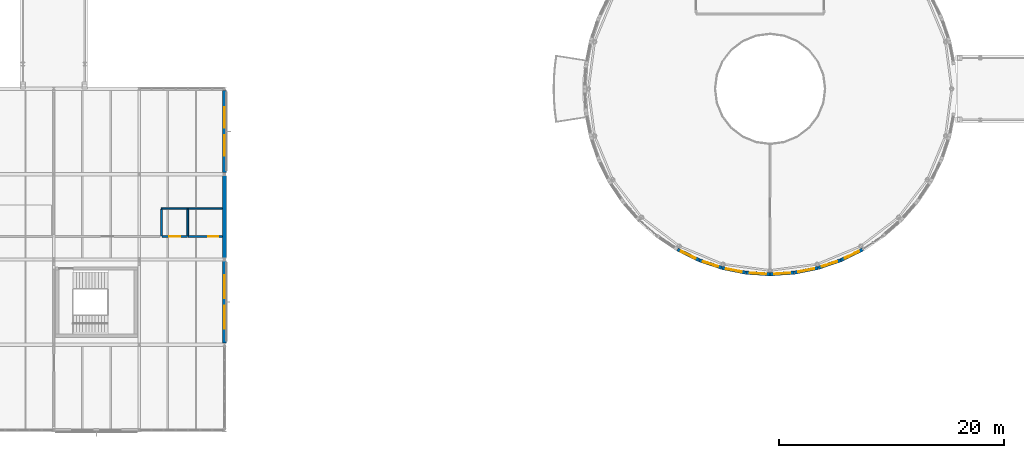
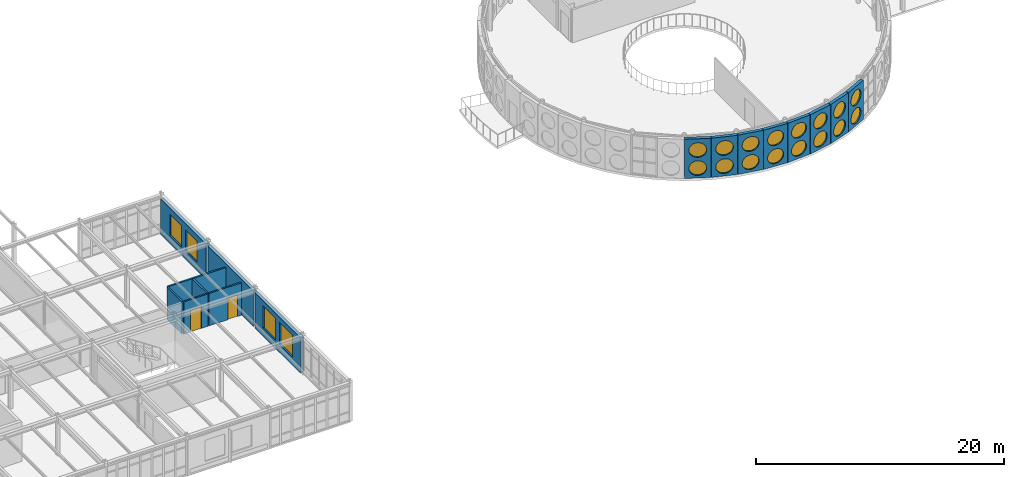
# One storey, part 133 of 165: 20 windows, 16 walls, 2 doors, 22 openings.
"""IFC4 building model written with IfcOpenShell, lengths in metres."""

from ifc_helpers import new_model, si_unit, direction, frame, frame_2d, origin, place, context, subcontext, project, spatial, rectangle, circle, extrude, material, layer, layer_set, type_object, element, fill, save


model = new_model("IFC4")

# Units and contexts
model_context = context("Model", 3, precision=1e-05, world=origin(), true_north=direction((0.0, 1.0)))
body_context = subcontext(model_context, "Body", "Model", "MODEL_VIEW")
ifc_project = project(units=[si_unit("LENGTHUNIT", "METRE"), si_unit("AREAUNIT", "SQUARE_METRE"), si_unit("VOLUMEUNIT", "CUBIC_METRE"), si_unit("PLANEANGLEUNIT", "RADIAN"), si_unit("MASSUNIT", "GRAM", prefix="KILO")], contexts=[model_context])

# Site, building, storey
site_placement = place(None, origin())
site = spatial("IfcSite", under=ifc_project, at=site_placement, CompositionType="ELEMENT")
building_placement = place(site_placement, origin())
building = spatial("IfcBuilding", under=site, at=building_placement, Name="Montecoro Central Library", CompositionType="ELEMENT")
storey_placement = place(building_placement, frame((0.0, 0.0, 5.10009765625)))
storey = spatial("IfcBuildingStorey", under=building, at=storey_placement, Name="L01", CompositionType="ELEMENT", Elevation=5.10009765625)

# Wall, openings, windows
ifc_material_1 = material(Name="Travertine Roman Stone and concrete C35/45", Category="masonry")
ifc_layer_1 = layer(ifc_material_1, 0.294921875)
ifc_layer_set_1 = layer_set([ifc_layer_1], Name="Travertine Roman Stone and concrete C35/45")
wall_type_1 = type_object("IfcWallType", Name="EW-DRM-295", PredefinedType="SOLIDWALL", material=ifc_layer_set_1)
wall_1_placement = place(storey_placement, frame((83.346923828125, 21.089111328125, 0.0), z_axis=(0.0, 0.0, 1.0), x_axis=(0.897210232885, -0.441603666205, 0.0)))
wall_1 = element("IfcWall", 1, at=wall_1_placement, inside=storey, type_object=wall_type_1, Name="V1-L01-EW-33", PredefinedType="SOLIDWALL", context=body_context, shape_type="SweptSolid", body=[
    extrude(rectangle(XDim=2.14453125, YDim=0.294921875, at=frame_2d((1.072265625, 0.0))), origin(), (0.0, 0.0, 1.0), 3.85498046875),
])
opening_1_placement = place(wall_1_placement, frame((0.35205078125, 0.0, 0.25)))
opening_1 = element("IfcOpeningElement", 2, at=opening_1_placement, cuts=wall_1, Name="Opening WP-01", PredefinedType="OPENING", context=body_context, shape_type="SweptSolid", body=[
    extrude(circle(Radius=0.719970703125, at=frame_2d((0.719970703125, 0.719970703125))), frame((0.0, 0.157470703125, 0.0), z_axis=(0.0, -1.0, 0.0), x_axis=(1.0, 0.0, 0.0)), (0.0, 0.0, 1.0), 0.31494140625),
])
opening_2_placement = place(wall_1_placement, frame((0.35205078125, 0.0, 2.030029296875)))
opening_2 = element("IfcOpeningElement", 3, at=opening_2_placement, cuts=wall_1, Name="Opening WP-02", PredefinedType="OPENING", context=body_context, shape_type="SweptSolid", body=[
    extrude(circle(Radius=0.719970703125, at=frame_2d((0.719970703125, 0.719970703125))), frame((0.0, 0.157470703125, 0.0), z_axis=(0.0, -1.0, 0.0), x_axis=(1.0, 0.0, 0.0)), (0.0, 0.0, 1.0), 0.31494140625),
])
ifc_material_2 = material(Name="Clear sky-blue low-E laminated glazing", Category="glass")
window_type_1 = type_object("IfcWindowType", Name="WN-POR-CLR-144", PartitioningType="SINGLE_PANEL", PredefinedType="WINDOW", material=ifc_material_2)
window_1_placement = place(opening_1_placement, origin())
window_1 = element("IfcWindow", 4, at=window_1_placement, inside=storey, type_object=window_type_1, Name="V1-L01-WP-33-1", OverallHeight=1.43994140625, OverallWidth=1.43994140625, PartitioningType="SINGLE_PANEL", PredefinedType="WINDOW", context=body_context, shape_type="SweptSolid", body=[
    extrude(circle(Radius=0.719970703125, at=frame_2d((0.719970703125, 0.719970703125))), frame((0.0, 0.030029296875, 0.0), z_axis=(0.0, -1.0, 0.0), x_axis=(1.0, 0.0, 0.0)), (0.0, 0.0, 1.0), 0.06005859375),
])
fill(opening_1, window_1)
ifc_material_3 = material(Name="Frosted pearl-white ceramic-fritted glazing", Category="glass")
window_type_2 = type_object("IfcWindowType", Name="WN-POR-FRT-144", PartitioningType="SINGLE_PANEL", PredefinedType="WINDOW", material=ifc_material_3)
window_2_placement = place(opening_2_placement, origin())
window_2 = element("IfcWindow", 5, at=window_2_placement, inside=storey, type_object=window_type_2, Name="V1-L01-WP-33-2", OverallHeight=1.43994140625, OverallWidth=1.43994140625, PartitioningType="SINGLE_PANEL", PredefinedType="WINDOW", context=body_context, shape_type="SweptSolid", body=[
    extrude(circle(Radius=0.719970703125, at=frame_2d((0.719970703125, 0.719970703125))), frame((0.0, 0.030029296875, 0.0), z_axis=(0.0, -1.0, 0.0), x_axis=(1.0, 0.0, 0.0)), (0.0, 0.0, 1.0), 0.06005859375),
])
fill(opening_2, window_2)

wall_2_placement = place(storey_placement, frame((85.285888671875, 20.135009765625, 0.0), z_axis=(0.0, 0.0, 1.0), x_axis=(0.946949614692, -0.321382058047, 0.0)))
wall_2 = element("IfcWall", 6, at=wall_2_placement, inside=storey, type_object=wall_type_1, Name="V1-L01-EW-34", PredefinedType="SOLIDWALL", context=body_context, shape_type="SweptSolid", body=[
    extrude(rectangle(XDim=2.143798828125, YDim=0.294921875, at=frame_2d((1.07177734375, 0.0))), origin(), (0.0, 0.0, 1.0), 3.85498046875),
])
opening_3_placement = place(wall_2_placement, frame((0.35205078125, 0.0, 0.25)))
opening_3 = element("IfcOpeningElement", 7, at=opening_3_placement, cuts=wall_2, Name="Opening WP-02", PredefinedType="OPENING", context=body_context, shape_type="SweptSolid", body=[
    extrude(circle(Radius=0.719970703125, at=frame_2d((0.719970703125, 0.719970703125))), frame((0.0, 0.157470703125, 0.0), z_axis=(0.0, -1.0, 0.0), x_axis=(1.0, 0.0, 0.0)), (0.0, 0.0, 1.0), 0.31494140625),
])
opening_4_placement = place(wall_2_placement, frame((0.35205078125, 0.0, 2.030029296875)))
opening_4 = element("IfcOpeningElement", 8, at=opening_4_placement, cuts=wall_2, Name="Opening WP-01", PredefinedType="OPENING", context=body_context, shape_type="SweptSolid", body=[
    extrude(circle(Radius=0.719970703125, at=frame_2d((0.719970703125, 0.719970703125))), frame((0.0, 0.157470703125, 0.0), z_axis=(0.0, -1.0, 0.0), x_axis=(1.0, 0.0, 0.0)), (0.0, 0.0, 1.0), 0.31494140625),
])
window_3_placement = place(opening_4_placement, origin())
window_3 = element("IfcWindow", 9, at=window_3_placement, inside=storey, type_object=window_type_1, Name="V1-L01-WP-34-2", OverallHeight=1.43994140625, OverallWidth=1.43994140625, PartitioningType="SINGLE_PANEL", PredefinedType="WINDOW", context=body_context, shape_type="SweptSolid", body=[
    extrude(circle(Radius=0.719970703125, at=frame_2d((0.719970703125, 0.719970703125))), frame((0.0, 0.030029296875, 0.0), z_axis=(0.0, -1.0, 0.0), x_axis=(1.0, 0.0, 0.0)), (0.0, 0.0, 1.0), 0.06005859375),
])
fill(opening_4, window_3)
window_4_placement = place(opening_3_placement, origin())
window_4 = element("IfcWindow", 10, at=window_4_placement, inside=storey, type_object=window_type_2, Name="V1-L01-WP-34-1", OverallHeight=1.43994140625, OverallWidth=1.43994140625, PartitioningType="SINGLE_PANEL", PredefinedType="WINDOW", context=body_context, shape_type="SweptSolid", body=[
    extrude(circle(Radius=0.719970703125, at=frame_2d((0.719970703125, 0.719970703125))), frame((0.0, 0.030029296875, 0.0), z_axis=(0.0, -1.0, 0.0), x_axis=(1.0, 0.0, 0.0)), (0.0, 0.0, 1.0), 0.06005859375),
])
fill(opening_3, window_4)

wall_3_placement = place(storey_placement, frame((87.33203125, 19.44091796875, 0.0), z_axis=(0.0, 0.0, 1.0), x_axis=(0.980833742796, -0.194846526766, 0.0)))
wall_3 = element("IfcWall", 11, at=wall_3_placement, inside=storey, type_object=wall_type_1, Name="V1-L01-EW-35", PredefinedType="SOLIDWALL", context=body_context, shape_type="SweptSolid", body=[
    extrude(rectangle(XDim=2.14501953125, YDim=0.294921875, at=frame_2d((1.072509765625, 0.0))), origin(), (0.0, 0.0, 1.0), 3.85498046875),
])
opening_5_placement = place(wall_3_placement, frame((0.35302734375, 0.0, 0.25)))
opening_5 = element("IfcOpeningElement", 12, at=opening_5_placement, cuts=wall_3, Name="Opening WP-01", PredefinedType="OPENING", context=body_context, shape_type="SweptSolid", body=[
    extrude(circle(Radius=0.719970703125, at=frame_2d((0.719970703125, 0.719970703125))), frame((0.0, 0.157470703125, 0.0), z_axis=(0.0, -1.0, 0.0), x_axis=(1.0, 0.0, 0.0)), (0.0, 0.0, 1.0), 0.31494140625),
])
opening_6_placement = place(wall_3_placement, frame((0.35302734375, 0.0, 2.030029296875)))
opening_6 = element("IfcOpeningElement", 13, at=opening_6_placement, cuts=wall_3, Name="Opening WP-02", PredefinedType="OPENING", context=body_context, shape_type="SweptSolid", body=[
    extrude(circle(Radius=0.719970703125, at=frame_2d((0.719970703125, 0.719970703125))), frame((0.0, 0.157470703125, 0.0), z_axis=(0.0, -1.0, 0.0), x_axis=(1.0, 0.0, 0.0)), (0.0, 0.0, 1.0), 0.31494140625),
])
window_5_placement = place(opening_5_placement, origin())
window_5 = element("IfcWindow", 14, at=window_5_placement, inside=storey, type_object=window_type_1, Name="V1-L01-WP-35-1", OverallHeight=1.43994140625, OverallWidth=1.43994140625, PartitioningType="SINGLE_PANEL", PredefinedType="WINDOW", context=body_context, shape_type="SweptSolid", body=[
    extrude(circle(Radius=0.719970703125, at=frame_2d((0.719970703125, 0.719970703125))), frame((0.0, 0.030029296875, 0.0), z_axis=(0.0, -1.0, 0.0), x_axis=(1.0, 0.0, 0.0)), (0.0, 0.0, 1.0), 0.06005859375),
])
fill(opening_5, window_5)
window_6_placement = place(opening_6_placement, origin())
window_6 = element("IfcWindow", 15, at=window_6_placement, inside=storey, type_object=window_type_2, Name="V1-L01-WP-35-2", OverallHeight=1.43994140625, OverallWidth=1.43994140625, PartitioningType="SINGLE_PANEL", PredefinedType="WINDOW", context=body_context, shape_type="SweptSolid", body=[
    extrude(circle(Radius=0.719970703125, at=frame_2d((0.719970703125, 0.719970703125))), frame((0.0, 0.030029296875, 0.0), z_axis=(0.0, -1.0, 0.0), x_axis=(1.0, 0.0, 0.0)), (0.0, 0.0, 1.0), 0.06005859375),
])
fill(opening_6, window_6)

wall_4_placement = place(storey_placement, frame((89.451904296875, 19.02001953125, 0.0), z_axis=(0.0, 0.0, 1.0), x_axis=(0.997899987449, -0.064773567518, 0.0)))
wall_4 = element("IfcWall", 16, at=wall_4_placement, inside=storey, type_object=wall_type_1, Name="V1-L01-EW-36", PredefinedType="SOLIDWALL", context=body_context, shape_type="SweptSolid", body=[
    extrude(rectangle(XDim=2.14453125, YDim=0.294921875, at=frame_2d((1.072265625, 0.0))), origin(), (0.0, 0.0, 1.0), 3.85498046875),
])
opening_7_placement = place(wall_4_placement, frame((0.35205078125, 0.0, 0.25)))
opening_7 = element("IfcOpeningElement", 17, at=opening_7_placement, cuts=wall_4, Name="Opening WP-02", PredefinedType="OPENING", context=body_context, shape_type="SweptSolid", body=[
    extrude(circle(Radius=0.719970703125, at=frame_2d((0.719970703125, 0.719970703125))), frame((0.0, 0.157470703125, 0.0), z_axis=(0.0, -1.0, 0.0), x_axis=(1.0, 0.0, 0.0)), (0.0, 0.0, 1.0), 0.31494140625),
])
opening_8_placement = place(wall_4_placement, frame((0.35205078125, 0.0, 2.030029296875)))
opening_8 = element("IfcOpeningElement", 18, at=opening_8_placement, cuts=wall_4, Name="Opening WP-01", PredefinedType="OPENING", context=body_context, shape_type="SweptSolid", body=[
    extrude(circle(Radius=0.719970703125, at=frame_2d((0.719970703125, 0.719970703125))), frame((0.0, 0.157470703125, 0.0), z_axis=(0.0, -1.0, 0.0), x_axis=(1.0, 0.0, 0.0)), (0.0, 0.0, 1.0), 0.31494140625),
])
window_7_placement = place(opening_8_placement, origin())
window_7 = element("IfcWindow", 19, at=window_7_placement, inside=storey, type_object=window_type_1, Name="V1-L01-WP-36-2", OverallHeight=1.43994140625, OverallWidth=1.43994140625, PartitioningType="SINGLE_PANEL", PredefinedType="WINDOW", context=body_context, shape_type="SweptSolid", body=[
    extrude(circle(Radius=0.719970703125, at=frame_2d((0.719970703125, 0.719970703125))), frame((0.0, 0.030029296875, 0.0), z_axis=(0.0, -1.0, 0.0), x_axis=(1.0, 0.0, 0.0)), (0.0, 0.0, 1.0), 0.06005859375),
])
fill(opening_8, window_7)
window_8_placement = place(opening_7_placement, origin())
window_8 = element("IfcWindow", 20, at=window_8_placement, inside=storey, type_object=window_type_2, Name="V1-L01-WP-36-1", OverallHeight=1.43994140625, OverallWidth=1.43994140625, PartitioningType="SINGLE_PANEL", PredefinedType="WINDOW", context=body_context, shape_type="SweptSolid", body=[
    extrude(circle(Radius=0.719970703125, at=frame_2d((0.719970703125, 0.719970703125))), frame((0.0, 0.030029296875, 0.0), z_axis=(0.0, -1.0, 0.0), x_axis=(1.0, 0.0, 0.0)), (0.0, 0.0, 1.0), 0.06005859375),
])
fill(opening_7, window_8)

wall_5_placement = place(storey_placement, frame((91.60791015625, 18.881103515625, 0.0), z_axis=(0.0, 0.0, 1.0), x_axis=(0.997899987449, 0.064773567518, 0.0)))
wall_5 = element("IfcWall", 21, at=wall_5_placement, inside=storey, type_object=wall_type_1, Name="V1-L01-EW-37", PredefinedType="SOLIDWALL", context=body_context, shape_type="SweptSolid", body=[
    extrude(rectangle(XDim=2.14453125, YDim=0.294921875, at=frame_2d((1.072265625, 0.0))), origin(), (0.0, 0.0, 1.0), 3.85498046875),
])
opening_9_placement = place(wall_5_placement, frame((0.35205078125, 0.0, 0.25)))
opening_9 = element("IfcOpeningElement", 22, at=opening_9_placement, cuts=wall_5, Name="Opening WP-01", PredefinedType="OPENING", context=body_context, shape_type="SweptSolid", body=[
    extrude(circle(Radius=0.719970703125, at=frame_2d((0.719970703125, 0.719970703125))), frame((0.0, 0.157470703125, 0.0), z_axis=(0.0, -1.0, 0.0), x_axis=(1.0, 0.0, 0.0)), (0.0, 0.0, 1.0), 0.31494140625),
])
opening_10_placement = place(wall_5_placement, frame((0.35205078125, 0.0, 2.030029296875)))
opening_10 = element("IfcOpeningElement", 23, at=opening_10_placement, cuts=wall_5, Name="Opening WP-02", PredefinedType="OPENING", context=body_context, shape_type="SweptSolid", body=[
    extrude(circle(Radius=0.719970703125, at=frame_2d((0.719970703125, 0.719970703125))), frame((0.0, 0.157470703125, 0.0), z_axis=(0.0, -1.0, 0.0), x_axis=(1.0, 0.0, 0.0)), (0.0, 0.0, 1.0), 0.31494140625),
])
window_9_placement = place(opening_9_placement, origin())
window_9 = element("IfcWindow", 24, at=window_9_placement, inside=storey, type_object=window_type_1, Name="V1-L01-WP-37-1", OverallHeight=1.43994140625, OverallWidth=1.43994140625, PartitioningType="SINGLE_PANEL", PredefinedType="WINDOW", context=body_context, shape_type="SweptSolid", body=[
    extrude(circle(Radius=0.719970703125, at=frame_2d((0.719970703125, 0.719970703125))), frame((0.0, 0.030029296875, 0.0), z_axis=(0.0, -1.0, 0.0), x_axis=(1.0, 0.0, 0.0)), (0.0, 0.0, 1.0), 0.06005859375),
])
fill(opening_9, window_9)
window_10_placement = place(opening_10_placement, origin())
window_10 = element("IfcWindow", 25, at=window_10_placement, inside=storey, type_object=window_type_2, Name="V1-L01-WP-37-2", OverallHeight=1.43994140625, OverallWidth=1.43994140625, PartitioningType="SINGLE_PANEL", PredefinedType="WINDOW", context=body_context, shape_type="SweptSolid", body=[
    extrude(circle(Radius=0.719970703125, at=frame_2d((0.719970703125, 0.719970703125))), frame((0.0, 0.030029296875, 0.0), z_axis=(0.0, -1.0, 0.0), x_axis=(1.0, 0.0, 0.0)), (0.0, 0.0, 1.0), 0.06005859375),
])
fill(opening_10, window_10)

wall_6_placement = place(storey_placement, frame((93.763916015625, 19.02294921875, 0.0), z_axis=(0.0, 0.0, 1.0), x_axis=(0.980833742796, 0.194846526766, 0.0)))
wall_6 = element("IfcWall", 26, at=wall_6_placement, inside=storey, type_object=wall_type_1, Name="V1-L01-EW-38", PredefinedType="SOLIDWALL", context=body_context, shape_type="SweptSolid", body=[
    extrude(rectangle(XDim=2.14501953125, YDim=0.294921875, at=frame_2d((1.072509765625, 0.0))), origin(), (0.0, 0.0, 1.0), 3.85498046875),
])
opening_11_placement = place(wall_6_placement, frame((0.35302734375, 0.0, 0.25)))
opening_11 = element("IfcOpeningElement", 27, at=opening_11_placement, cuts=wall_6, Name="Opening WP-02", PredefinedType="OPENING", context=body_context, shape_type="SweptSolid", body=[
    extrude(circle(Radius=0.719970703125, at=frame_2d((0.719970703125, 0.719970703125))), frame((0.0, 0.157470703125, 0.0), z_axis=(0.0, -1.0, 0.0), x_axis=(1.0, 0.0, 0.0)), (0.0, 0.0, 1.0), 0.31494140625),
])
opening_12_placement = place(wall_6_placement, frame((0.35302734375, 0.0, 2.030029296875)))
opening_12 = element("IfcOpeningElement", 28, at=opening_12_placement, cuts=wall_6, Name="Opening WP-01", PredefinedType="OPENING", context=body_context, shape_type="SweptSolid", body=[
    extrude(circle(Radius=0.719970703125, at=frame_2d((0.719970703125, 0.719970703125))), frame((0.0, 0.157470703125, 0.0), z_axis=(0.0, -1.0, 0.0), x_axis=(1.0, 0.0, 0.0)), (0.0, 0.0, 1.0), 0.31494140625),
])
window_11_placement = place(opening_12_placement, origin())
window_11 = element("IfcWindow", 29, at=window_11_placement, inside=storey, type_object=window_type_1, Name="V1-L01-WP-38-2", OverallHeight=1.43994140625, OverallWidth=1.43994140625, PartitioningType="SINGLE_PANEL", PredefinedType="WINDOW", context=body_context, shape_type="SweptSolid", body=[
    extrude(circle(Radius=0.719970703125, at=frame_2d((0.719970703125, 0.719970703125))), frame((0.0, 0.030029296875, 0.0), z_axis=(0.0, -1.0, 0.0), x_axis=(1.0, 0.0, 0.0)), (0.0, 0.0, 1.0), 0.06005859375),
])
fill(opening_12, window_11)
window_12_placement = place(opening_11_placement, origin())
window_12 = element("IfcWindow", 30, at=window_12_placement, inside=storey, type_object=window_type_2, Name="V1-L01-WP-38-1", OverallHeight=1.43994140625, OverallWidth=1.43994140625, PartitioningType="SINGLE_PANEL", PredefinedType="WINDOW", context=body_context, shape_type="SweptSolid", body=[
    extrude(circle(Radius=0.719970703125, at=frame_2d((0.719970703125, 0.719970703125))), frame((0.0, 0.030029296875, 0.0), z_axis=(0.0, -1.0, 0.0), x_axis=(1.0, 0.0, 0.0)), (0.0, 0.0, 1.0), 0.06005859375),
])
fill(opening_11, window_12)

wall_7_placement = place(storey_placement, frame((95.884033203125, 19.446044921875, 0.0), z_axis=(0.0, 0.0, 1.0), x_axis=(0.946949614692, 0.321382058047, 0.0)))
wall_7 = element("IfcWall", 31, at=wall_7_placement, inside=storey, type_object=wall_type_1, Name="V1-L01-EW-39", PredefinedType="SOLIDWALL", context=body_context, shape_type="SweptSolid", body=[
    extrude(rectangle(XDim=2.143798828125, YDim=0.294921875, at=frame_2d((1.07177734375, 0.0))), origin(), (0.0, 0.0, 1.0), 3.85498046875),
])
opening_13_placement = place(wall_7_placement, frame((0.35205078125, 0.0, 0.25)))
opening_13 = element("IfcOpeningElement", 32, at=opening_13_placement, cuts=wall_7, Name="Opening WP-01", PredefinedType="OPENING", context=body_context, shape_type="SweptSolid", body=[
    extrude(circle(Radius=0.719970703125, at=frame_2d((0.719970703125, 0.719970703125))), frame((0.0, 0.157470703125, 0.0), z_axis=(0.0, -1.0, 0.0), x_axis=(1.0, 0.0, 0.0)), (0.0, 0.0, 1.0), 0.31494140625),
])
opening_14_placement = place(wall_7_placement, frame((0.35205078125, 0.0, 2.030029296875)))
opening_14 = element("IfcOpeningElement", 33, at=opening_14_placement, cuts=wall_7, Name="Opening WP-02", PredefinedType="OPENING", context=body_context, shape_type="SweptSolid", body=[
    extrude(circle(Radius=0.719970703125, at=frame_2d((0.719970703125, 0.719970703125))), frame((0.0, 0.157470703125, 0.0), z_axis=(0.0, -1.0, 0.0), x_axis=(1.0, 0.0, 0.0)), (0.0, 0.0, 1.0), 0.31494140625),
])
window_13_placement = place(opening_13_placement, origin())
window_13 = element("IfcWindow", 34, at=window_13_placement, inside=storey, type_object=window_type_1, Name="V1-L01-WP-39-1", OverallHeight=1.43994140625, OverallWidth=1.43994140625, PartitioningType="SINGLE_PANEL", PredefinedType="WINDOW", context=body_context, shape_type="SweptSolid", body=[
    extrude(circle(Radius=0.719970703125, at=frame_2d((0.719970703125, 0.719970703125))), frame((0.0, 0.030029296875, 0.0), z_axis=(0.0, -1.0, 0.0), x_axis=(1.0, 0.0, 0.0)), (0.0, 0.0, 1.0), 0.06005859375),
])
fill(opening_13, window_13)
window_14_placement = place(opening_14_placement, origin())
window_14 = element("IfcWindow", 35, at=window_14_placement, inside=storey, type_object=window_type_2, Name="V1-L01-WP-39-2", OverallHeight=1.43994140625, OverallWidth=1.43994140625, PartitioningType="SINGLE_PANEL", PredefinedType="WINDOW", context=body_context, shape_type="SweptSolid", body=[
    extrude(circle(Radius=0.719970703125, at=frame_2d((0.719970703125, 0.719970703125))), frame((0.0, 0.030029296875, 0.0), z_axis=(0.0, -1.0, 0.0), x_axis=(1.0, 0.0, 0.0)), (0.0, 0.0, 1.0), 0.06005859375),
])
fill(opening_14, window_14)

wall_8_placement = place(storey_placement, frame((97.928955078125, 20.14208984375, 0.0), z_axis=(0.0, 0.0, 1.0), x_axis=(0.897210232885, 0.441603666205, 0.0)))
wall_8 = element("IfcWall", 36, at=wall_8_placement, inside=storey, type_object=wall_type_1, Name="V1-L01-EW-40", PredefinedType="SOLIDWALL", context=body_context, shape_type="SweptSolid", body=[
    extrude(rectangle(XDim=2.14453125, YDim=0.294921875, at=frame_2d((1.072265625, 0.0))), origin(), (0.0, 0.0, 1.0), 3.85498046875),
])
opening_15_placement = place(wall_8_placement, frame((0.35205078125, 0.0, 0.25)))
opening_15 = element("IfcOpeningElement", 37, at=opening_15_placement, cuts=wall_8, Name="Opening WP-02", PredefinedType="OPENING", context=body_context, shape_type="SweptSolid", body=[
    extrude(circle(Radius=0.719970703125, at=frame_2d((0.719970703125, 0.719970703125))), frame((0.0, 0.157470703125, 0.0), z_axis=(0.0, -1.0, 0.0), x_axis=(1.0, 0.0, 0.0)), (0.0, 0.0, 1.0), 0.31494140625),
])
opening_16_placement = place(wall_8_placement, frame((0.35205078125, 0.0, 2.030029296875)))
opening_16 = element("IfcOpeningElement", 38, at=opening_16_placement, cuts=wall_8, Name="Opening WP-01", PredefinedType="OPENING", context=body_context, shape_type="SweptSolid", body=[
    extrude(circle(Radius=0.719970703125, at=frame_2d((0.719970703125, 0.719970703125))), frame((0.0, 0.157470703125, 0.0), z_axis=(0.0, -1.0, 0.0), x_axis=(1.0, 0.0, 0.0)), (0.0, 0.0, 1.0), 0.31494140625),
])
window_15_placement = place(opening_16_placement, origin())
window_15 = element("IfcWindow", 39, at=window_15_placement, inside=storey, type_object=window_type_1, Name="V1-L01-WP-40-2", OverallHeight=1.43994140625, OverallWidth=1.43994140625, PartitioningType="SINGLE_PANEL", PredefinedType="WINDOW", context=body_context, shape_type="SweptSolid", body=[
    extrude(circle(Radius=0.719970703125, at=frame_2d((0.719970703125, 0.719970703125))), frame((0.0, 0.030029296875, 0.0), z_axis=(0.0, -1.0, 0.0), x_axis=(1.0, 0.0, 0.0)), (0.0, 0.0, 1.0), 0.06005859375),
])
fill(opening_16, window_15)
window_16_placement = place(opening_15_placement, origin())
window_16 = element("IfcWindow", 40, at=window_16_placement, inside=storey, type_object=window_type_2, Name="V1-L01-WP-40-1", OverallHeight=1.43994140625, OverallWidth=1.43994140625, PartitioningType="SINGLE_PANEL", PredefinedType="WINDOW", context=body_context, shape_type="SweptSolid", body=[
    extrude(circle(Radius=0.719970703125, at=frame_2d((0.719970703125, 0.719970703125))), frame((0.0, 0.030029296875, 0.0), z_axis=(0.0, -1.0, 0.0), x_axis=(1.0, 0.0, 0.0)), (0.0, 0.0, 1.0), 0.06005859375),
])
fill(opening_15, window_16)

ifc_material_4 = material(Name="Roman travertine stone clad concrete C35/45", Category="masonry")
ifc_layer_2 = layer(ifc_material_4, 0.324951171875)
ifc_layer_set_2 = layer_set([ifc_layer_2], Name="Roman travertine stone clad concrete C35/45")
wall_type_2 = type_object("IfcWallType", Name="EW-TRV-325", PredefinedType="SOLIDWALL", material=ifc_layer_set_2)
wall_9_placement = place(storey_placement, frame((43.0, 12.738037109375, 0.0), z_axis=(0.0, 0.0, 1.0), x_axis=(0.0, 1.0, 0.0)))
wall_9 = element("IfcWall", 41, at=wall_9_placement, inside=storey, type_object=wall_type_2, Name="V3-L01-EW-E1", PredefinedType="SOLIDWALL", context=body_context, shape_type="SweptSolid", body=[
    extrude(rectangle(XDim=7.323974609375, YDim=0.324951171875, at=frame_2d((3.662109375, 0.0))), origin(), (0.0, 0.0, 1.0), 3.47998046875),
])
opening_17_placement = place(wall_9_placement, frame((1.287109375, 0.0, 0.800048828125)))
opening_17 = element("IfcOpeningElement", 42, at=opening_17_placement, cuts=wall_9, Name="Opening WN-13", PredefinedType="OPENING", context=body_context, shape_type="SweptSolid", body=[
    extrude(rectangle(XDim=2.050048828125, YDim=2.179931640625, at=frame_2d((1.02490234375, 1.08984375))), frame((0.0, 0.17236328125, 0.0), z_axis=(0.0, -1.0, 0.0), x_axis=(1.0, 0.0, 0.0)), (0.0, 0.0, 1.0), 0.344970703125),
])
opening_18_placement = place(wall_9_placement, frame((3.987060546875, 0.0, 0.800048828125)))
opening_18 = element("IfcOpeningElement", 43, at=opening_18_placement, cuts=wall_9, Name="Opening WN-13", PredefinedType="OPENING", context=body_context, shape_type="SweptSolid", body=[
    extrude(rectangle(XDim=2.050048828125, YDim=2.179931640625, at=frame_2d((1.02490234375, 1.08984375))), frame((0.0, 0.17236328125, 0.0), z_axis=(0.0, -1.0, 0.0), x_axis=(1.0, 0.0, 0.0)), (0.0, 0.0, 1.0), 0.344970703125),
])
ifc_material_5 = material(Name="Laminated low-E double glazing", Category="glass")
window_type_3 = type_object("IfcWindowType", Name="WN-CHD-205", PartitioningType="SINGLE_PANEL", PredefinedType="WINDOW", material=ifc_material_5)
window_17_placement = place(opening_17_placement, origin())
window_17 = element("IfcWindow", 44, at=window_17_placement, inside=storey, type_object=window_type_3, Name="V3-L01-WN-E1-1", OverallHeight=2.179931640625, OverallWidth=2.050048828125, PartitioningType="SINGLE_PANEL", PredefinedType="WINDOW", context=body_context, shape_type="SweptSolid", body=[
    extrude(rectangle(XDim=2.050048828125, YDim=2.179931640625, at=frame_2d((1.02490234375, 1.08984375))), frame((0.0, 0.030029296875, 0.0), z_axis=(0.0, -1.0, 0.0), x_axis=(1.0, 0.0, 0.0)), (0.0, 0.0, 1.0), 0.06005859375),
])
fill(opening_17, window_17)
window_18_placement = place(opening_18_placement, origin())
window_18 = element("IfcWindow", 45, at=window_18_placement, inside=storey, type_object=window_type_3, Name="V3-L01-WN-E1-2", OverallHeight=2.179931640625, OverallWidth=2.050048828125, PartitioningType="SINGLE_PANEL", PredefinedType="WINDOW", context=body_context, shape_type="SweptSolid", body=[
    extrude(rectangle(XDim=2.050048828125, YDim=2.179931640625, at=frame_2d((1.02490234375, 1.08984375))), frame((0.0, 0.030029296875, 0.0), z_axis=(0.0, -1.0, 0.0), x_axis=(1.0, 0.0, 0.0)), (0.0, 0.0, 1.0), 0.06005859375),
])
fill(opening_18, window_18)

# Wall
wall_10_placement = place(storey_placement, frame((43.0, 20.337890625, 0.0), z_axis=(0.0, 0.0, 1.0), x_axis=(0.0, 1.0, 0.0)))
element("IfcWall", 46, at=wall_10_placement, inside=storey, type_object=wall_type_2, Name="V3-L01-EW-E2", PredefinedType="SOLIDWALL", context=body_context, shape_type="SweptSolid", body=[
    extrude(rectangle(XDim=7.32421875, YDim=0.324951171875, at=frame_2d((3.662109375, 0.0))), origin(), (0.0, 0.0, 1.0), 3.47998046875),
])

# Wall, openings, windows
wall_11_placement = place(storey_placement, frame((43.0, 27.93798828125, 0.0), z_axis=(0.0, 0.0, 1.0), x_axis=(0.0, 1.0, 0.0)))
wall_11 = element("IfcWall", 47, at=wall_11_placement, inside=storey, type_object=wall_type_2, Name="V3-L01-EW-E3", PredefinedType="SOLIDWALL", context=body_context, shape_type="SweptSolid", body=[
    extrude(rectangle(XDim=7.323974609375, YDim=0.324951171875, at=frame_2d((3.662109375, 0.0))), origin(), (0.0, 0.0, 1.0), 3.47998046875),
])
opening_19_placement = place(wall_11_placement, frame((1.487060546875, 0.0, 0.800048828125)))
opening_19 = element("IfcOpeningElement", 48, at=opening_19_placement, cuts=wall_11, Name="Opening WN-11", PredefinedType="OPENING", context=body_context, shape_type="SweptSolid", body=[
    extrude(rectangle(XDim=1.85009765625, YDim=2.10009765625, at=frame_2d((0.925048828125, 1.050048828125))), frame((0.0, 0.17236328125, 0.0), z_axis=(0.0, -1.0, 0.0), x_axis=(1.0, 0.0, 0.0)), (0.0, 0.0, 1.0), 0.344970703125),
])
opening_20_placement = place(wall_11_placement, frame((3.987060546875, 0.0, 0.800048828125)))
opening_20 = element("IfcOpeningElement", 49, at=opening_20_placement, cuts=wall_11, Name="Opening WN-11", PredefinedType="OPENING", context=body_context, shape_type="SweptSolid", body=[
    extrude(rectangle(XDim=1.85009765625, YDim=2.10009765625, at=frame_2d((0.925048828125, 1.050048828125))), frame((0.0, 0.17236328125, 0.0), z_axis=(0.0, -1.0, 0.0), x_axis=(1.0, 0.0, 0.0)), (0.0, 0.0, 1.0), 0.344970703125),
])
window_type_4 = type_object("IfcWindowType", Name="WN-CHD-185", PartitioningType="SINGLE_PANEL", PredefinedType="WINDOW", material=ifc_material_5)
window_19_placement = place(opening_19_placement, origin())
window_19 = element("IfcWindow", 50, at=window_19_placement, inside=storey, type_object=window_type_4, Name="V3-L01-WN-E3-1", OverallHeight=2.10009765625, OverallWidth=1.85009765625, PartitioningType="SINGLE_PANEL", PredefinedType="WINDOW", context=body_context, shape_type="SweptSolid", body=[
    extrude(rectangle(XDim=1.85009765625, YDim=2.10009765625, at=frame_2d((0.925048828125, 1.050048828125))), frame((0.0, 0.030029296875, 0.0), z_axis=(0.0, -1.0, 0.0), x_axis=(1.0, 0.0, 0.0)), (0.0, 0.0, 1.0), 0.06005859375),
])
fill(opening_19, window_19)
window_20_placement = place(opening_20_placement, origin())
window_20 = element("IfcWindow", 51, at=window_20_placement, inside=storey, type_object=window_type_4, Name="V3-L01-WN-E3-2", OverallHeight=2.10009765625, OverallWidth=1.85009765625, PartitioningType="SINGLE_PANEL", PredefinedType="WINDOW", context=body_context, shape_type="SweptSolid", body=[
    extrude(rectangle(XDim=1.85009765625, YDim=2.10009765625, at=frame_2d((0.925048828125, 1.050048828125))), frame((0.0, 0.030029296875, 0.0), z_axis=(0.0, -1.0, 0.0), x_axis=(1.0, 0.0, 0.0)), (0.0, 0.0, 1.0), 0.06005859375),
])
fill(opening_20, window_20)

# Walls
ifc_material_6 = material(Name="Moisture-resistant ceramic-tiled partition")
ifc_layer_3 = layer(ifc_material_6, 0.14990234375)
ifc_layer_set_3 = layer_set([ifc_layer_3], Name="Moisture-resistant ceramic-tiled partition")
wall_type_3 = type_object("IfcWallType", Name="IW-WET-150", PredefinedType="PARTITIONING", material=ifc_layer_set_3)
wall_12_placement = place(storey_placement, frame((37.3798828125, 24.72998046875, 0.0), z_axis=(0.0, 0.0, 1.0), x_axis=(1.0, 0.0, 0.0)))
element("IfcWall", 52, at=wall_12_placement, inside=storey, type_object=wall_type_3, Name="WC-V3-L01-WBK", PredefinedType="PARTITIONING", context=body_context, shape_type="SweptSolid", body=[
    extrude(rectangle(XDim=5.420166015625, YDim=0.14990234375, at=frame_2d((2.7099609375, 0.0))), origin(), (0.0, 0.0, 1.0), 3.179931640625),
])
for number, where, z_axis, x_axis, name in (
    (53, (37.3798828125, 22.31005859375, 0.0), (0.0, 0.0, 1.0), (0.0, 1.0, 0.0), "WC-V3-L01-WW"),
    (54, (39.72998046875, 22.31005859375, 0.0), (0.0, 0.0, 1.0), (0.0, 1.0, 0.0), "WC-V3-L01-WM"),
):
    element("IfcWall", number, at=place(storey_placement, frame(where, z_axis=z_axis, x_axis=x_axis)), inside=storey, type_object=wall_type_3, Name=name, PredefinedType="PARTITIONING", context=body_context, shape_type="SweptSolid", body=[
        extrude(rectangle(XDim=2.35986328125, YDim=0.14990234375, at=frame_2d((1.179931640625, 0.0))), origin(), (0.0, 0.0, 1.0), 3.179931640625),
    ])

# Wall, opening, door
wall_13_placement = place(storey_placement, frame((37.43994140625, 22.25, 0.0), z_axis=(0.0, 0.0, 1.0), x_axis=(1.0, 0.0, 0.0)))
wall_13 = element("IfcWall", 55, at=wall_13_placement, inside=storey, type_object=wall_type_3, Name="WC-V3-L01-WFA", PredefinedType="PARTITIONING", context=body_context, shape_type="SweptSolid", body=[
    extrude(rectangle(XDim=2.25, YDim=0.14990234375, at=frame_2d((1.125, 0.0))), origin(), (0.0, 0.0, 1.0), 3.179931640625),
])
opening_21_placement = place(wall_13_placement, frame((0.625, 0.0, 0.0)))
opening_21 = element("IfcOpeningElement", 56, at=opening_21_placement, cuts=wall_13, Name="Opening ID-15", PredefinedType="OPENING", context=body_context, shape_type="SweptSolid", body=[
    extrude(rectangle(XDim=1.0, YDim=2.14990234375, at=frame_2d((0.5, 1.074951171875))), frame((0.0, 0.0849609375, 0.0), z_axis=(0.0, -1.0, 0.0), x_axis=(1.0, 0.0, 0.0)), (0.0, 0.0, 1.0), 0.169921875),
])
ifc_material_7 = material(Name="Solid oak and fire-rated steel door", Category="steel")
door_type_1 = type_object("IfcDoorType", Name="ID-AWC-100", OperationType="NOTDEFINED", PredefinedType="DOOR", material=ifc_material_7)
door_1_placement = place(opening_21_placement, origin())
door_1 = element("IfcDoor", 57, at=door_1_placement, inside=storey, type_object=door_type_1, Name="DR-SP-V3-L01-AWC", OperationType="SINGLE_SWING_RIGHT", OverallHeight=2.14990234375, OverallWidth=1.0, PredefinedType="DOOR", context=body_context, shape_type="SweptSolid", body=[
    extrude(rectangle(XDim=1.0, YDim=2.14990234375, at=frame_2d((0.5, 1.074951171875))), frame((0.0, 0.02490234375, 0.0), z_axis=(0.0, -1.0, 0.0), x_axis=(1.0, 0.0, 0.0)), (0.0, 0.0, 1.0), 0.050048828125),
])
fill(opening_21, door_1)

wall_14_placement = place(storey_placement, frame((39.77001953125, 22.25, 0.0), z_axis=(0.0, 0.0, 1.0), x_axis=(1.0, 0.0, 0.0)))
wall_14 = element("IfcWall", 58, at=wall_14_placement, inside=storey, type_object=wall_type_3, Name="WC-V3-L01-WFP", PredefinedType="PARTITIONING", context=body_context, shape_type="SweptSolid", body=[
    extrude(rectangle(XDim=3.030029296875, YDim=0.14990234375, at=frame_2d((1.51513671875, 0.0))), origin(), (0.0, 0.0, 1.0), 3.179931640625),
])
opening_22_placement = place(wall_14_placement, frame((1.780029296875, 0.0, 0.0)))
opening_22 = element("IfcOpeningElement", 59, at=opening_22_placement, cuts=wall_14, Name="Opening ID-16", PredefinedType="OPENING", context=body_context, shape_type="SweptSolid", body=[
    extrude(rectangle(XDim=0.89990234375, YDim=2.14990234375, at=frame_2d((0.449951171875, 1.074951171875))), frame((0.0, 0.0849609375, 0.0), z_axis=(0.0, -1.0, 0.0), x_axis=(1.0, 0.0, 0.0)), (0.0, 0.0, 1.0), 0.169921875),
])
door_type_2 = type_object("IfcDoorType", Name="ID-WC-090", OperationType="NOTDEFINED", PredefinedType="DOOR", material=ifc_material_7)
door_2_placement = place(opening_22_placement, origin())
door_2 = element("IfcDoor", 60, at=door_2_placement, inside=storey, type_object=door_type_2, Name="DR-SP-V3-L01-PWC", OperationType="SINGLE_SWING_LEFT", OverallHeight=2.14990234375, OverallWidth=0.89990234375, PredefinedType="DOOR", context=body_context, shape_type="SweptSolid", body=[
    extrude(rectangle(XDim=0.89990234375, YDim=2.14990234375, at=frame_2d((0.449951171875, 1.074951171875))), frame((0.0, 0.02490234375, 0.0), z_axis=(0.0, -1.0, 0.0), x_axis=(1.0, 0.0, 0.0)), (0.0, 0.0, 1.0), 0.050048828125),
])
fill(opening_22, door_2)

save(model, "model.ifc")
